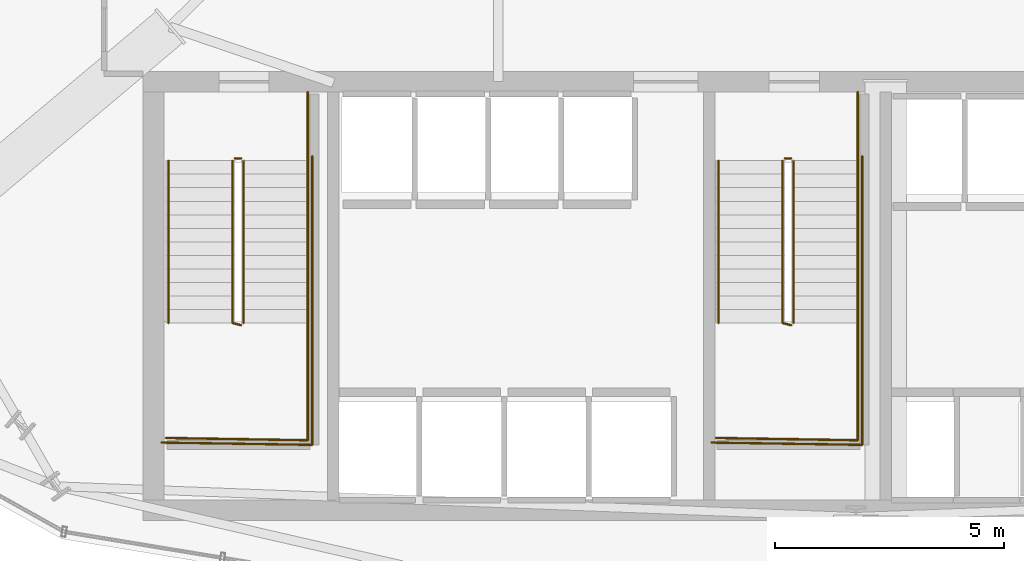
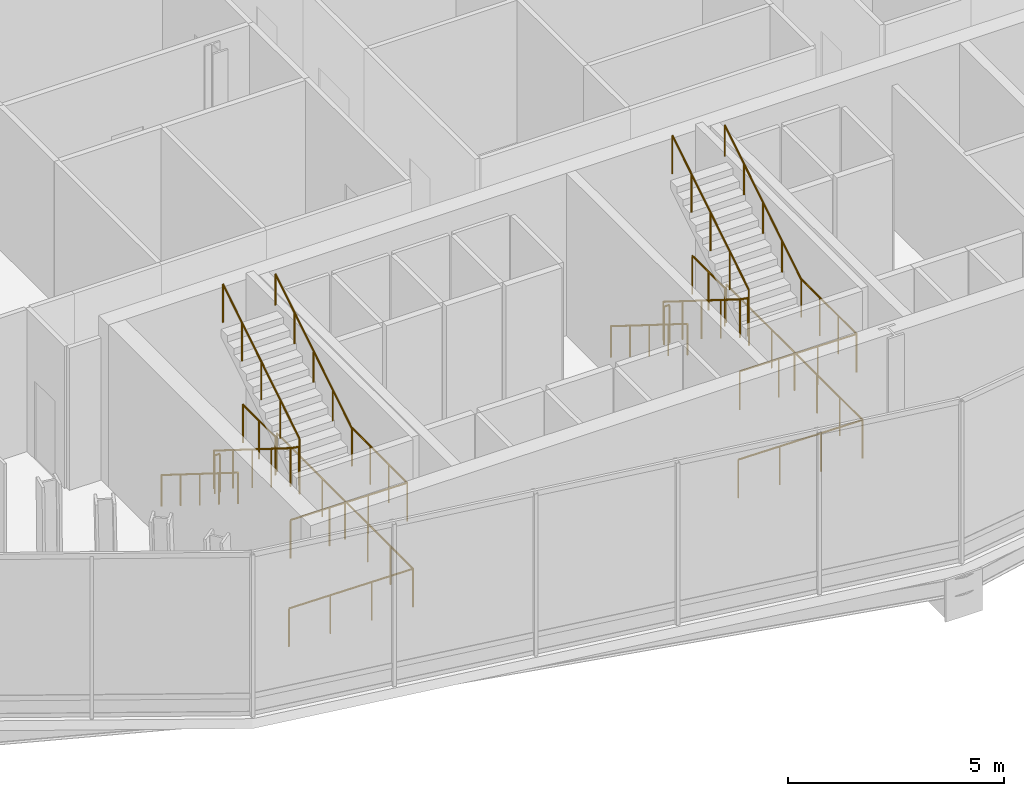
# One storey, part 24 of 26: 16 railings.
"""IFC4 building model written with IfcOpenShell, lengths in metres."""

from ifc_helpers import new_model, si_unit, direction, frame, origin, origin_2d, place, context, subcontext, project, spatial, circle, extrude, material, layer, layer_set, type_object, element, save


model = new_model("IFC4")

# Units and contexts
model_context = context("Model", 3, precision=1e-05, world=origin(), true_north=direction((0.0, 1.0)))
body_context = subcontext(model_context, "Body", "Model", "MODEL_VIEW")
ifc_project = project(units=[si_unit("LENGTHUNIT", "METRE"), si_unit("AREAUNIT", "SQUARE_METRE"), si_unit("VOLUMEUNIT", "CUBIC_METRE"), si_unit("PLANEANGLEUNIT", "RADIAN"), si_unit("MASSUNIT", "GRAM", prefix="KILO")], contexts=[model_context])

# Site, building, storey
site_placement = place(None, origin())
site = spatial("IfcSite", under=ifc_project, at=site_placement, CompositionType="ELEMENT")
building_placement = place(site_placement, origin())
building = spatial("IfcBuilding", under=site, at=building_placement, Name="Ndaravel Arena Tower", CompositionType="ELEMENT")
storey_placement = place(building_placement, frame((0.0, 0.0, 122.199951171875)))
storey = spatial("IfcBuildingStorey", under=building, at=storey_placement, Name="L28", CompositionType="ELEMENT", Elevation=122.199951171875)

# Railings
ifc_material_1 = material(Name="Steel S355", Category="steel")
ifc_layer_1 = layer(ifc_material_1, 0.06005859375)
ifc_layer_set_1 = layer_set([ifc_layer_1], Name="Steel S355")
railing_type_1 = type_object("IfcRailingType", Name="RAIL-STAIR-GD1100", PredefinedType="GUARDRAIL", material=ifc_layer_set_1)
railing_1_placement = place(storey_placement, frame((28.39990234375, 13.25, 0.1845703125)))
element("IfcRailing", 1, at=railing_1_placement, inside=storey, type_object=railing_type_1, Name="L28 ST-1 stair guard 1", PredefinedType="GUARDRAIL", context=body_context, shape_type="SweptSolid", body=[
    extrude(circle(Radius=0.02392578125, at=origin_2d()), frame((0.0, 0.0, 1.076171875), z_axis=(0.0, -0.847669714335, 0.530524321213), x_axis=(1.0, 0.0, 0.0)), (0.0, 0.0, 1.0), 4.17626953125),
    extrude(circle(Radius=0.02392578125, at=origin_2d()), frame((0.0, -3.5400390625, 3.29150390625), z_axis=(0.967074537263, -0.25449329928, 0.0), x_axis=(0.25449329928, 0.967074537263, 0.0)), (0.0, 0.0, 1.0), 0.19677734375),
    extrude(circle(Radius=0.02099609375, at=origin_2d()), origin(), (0.0, 0.0, 1.0), 1.052001953125),
    extrude(circle(Radius=0.02099609375, at=origin_2d()), frame((0.0, -0.885009765625, 0.553955078125)), (0.0, 0.0, 1.0), 1.052001953125),
    extrude(circle(Radius=0.02099609375, at=origin_2d()), frame((0.0, -1.77001953125, 1.10791015625)), (0.0, 0.0, 1.0), 1.052001953125),
    extrude(circle(Radius=0.02099609375, at=origin_2d()), frame((0.0, -2.655029296875, 1.66162109375)), (0.0, 0.0, 1.0), 1.052001953125),
    extrude(circle(Radius=0.02099609375, at=origin_2d()), frame((0.0, -3.5400390625, 2.215576171875)), (0.0, 0.0, 1.0), 1.052001953125),
    extrude(circle(Radius=0.02099609375, at=origin_2d()), frame((0.190185546875, -3.590087890625, 2.215576171875)), (0.0, 0.0, 1.0), 1.052001953125),
])
railing_2_placement = place(storey_placement, frame((30.0400390625, 9.7099609375, 2.400146484375)))
element("IfcRailing", 2, at=railing_2_placement, inside=storey, type_object=railing_type_1, Name="L28 ST-1 stair guard 2", PredefinedType="GUARDRAIL", context=body_context, shape_type="SweptSolid", body=[
    extrude(circle(Radius=0.02392578125, at=origin_2d()), frame((0.0, 0.0, 1.076171875), z_axis=(0.0, -1.0, 0.0), x_axis=(1.0, 0.0, 0.0)), (0.0, 0.0, 1.0), 2.56005859375),
    extrude(circle(Radius=0.02392578125, at=origin_2d()), frame((0.0, -2.56005859375, 1.076171875), z_axis=(-0.999868861343, 0.016194447071, 0.0), x_axis=(-0.016194447071, -0.999868861343, 0.0)), (0.0, 0.0, 1.0), 3.090576171875),
    extrude(circle(Radius=0.02099609375, at=origin_2d()), origin(), (0.0, 0.0, 1.0), 1.052001953125),
    extrude(circle(Radius=0.02099609375, at=origin_2d()), frame((0.0, -0.853271484375, 0.0)), (0.0, 0.0, 1.0), 1.052001953125),
    extrude(circle(Radius=0.02099609375, at=origin_2d()), frame((0.0, -1.706787109375, 0.0)), (0.0, 0.0, 1.0), 1.052001953125),
    extrude(circle(Radius=0.02099609375, at=origin_2d()), frame((0.0, -2.56005859375, 0.0)), (0.0, 0.0, 1.0), 1.052001953125),
    extrude(circle(Radius=0.02099609375, at=origin_2d()), frame((-1.030029296875, -2.54345703125, 0.0)), (0.0, 0.0, 1.0), 1.052001953125),
    extrude(circle(Radius=0.02099609375, at=origin_2d()), frame((-2.06005859375, -2.526611328125, 0.0)), (0.0, 0.0, 1.0), 1.052001953125),
    extrude(circle(Radius=0.02099609375, at=origin_2d()), frame((-3.090087890625, -2.510009765625, 0.0)), (0.0, 0.0, 1.0), 1.052001953125),
])
railing_3_placement = place(storey_placement, frame((28.639892578125, 9.7099609375, 2.584716796875)))
element("IfcRailing", 3, at=railing_3_placement, inside=storey, type_object=railing_type_1, Name="L28 ST-1 stair guard 3", PredefinedType="GUARDRAIL", context=body_context, shape_type="SweptSolid", body=[
    extrude(circle(Radius=0.02392578125, at=origin_2d()), frame((0.0, 0.0, 1.076171875), z_axis=(0.0, 0.847696004112, 0.530482313194), x_axis=(-1.0, 0.0, 0.0)), (0.0, 0.0, 1.0), 4.176025390625),
    extrude(circle(Radius=0.02099609375, at=origin_2d()), origin(), (0.0, 0.0, 1.0), 1.052001953125),
    extrude(circle(Radius=0.02099609375, at=origin_2d()), frame((0.0, 0.885009765625, 0.5537109375)), (0.0, 0.0, 1.0), 1.052001953125),
    extrude(circle(Radius=0.02099609375, at=origin_2d()), frame((0.0, 1.77001953125, 1.107666015625)), (0.0, 0.0, 1.0), 1.052001953125),
    extrude(circle(Radius=0.02099609375, at=origin_2d()), frame((0.0, 2.655029296875, 1.66162109375)), (0.0, 0.0, 1.0), 1.052001953125),
    extrude(circle(Radius=0.02099609375, at=origin_2d()), frame((0.0, 3.5400390625, 2.21533203125)), (0.0, 0.0, 1.0), 1.052001953125),
])
railing_4_placement = place(storey_placement, frame((28.449951171875, 13.300048828125, 0.0)))
element("IfcRailing", 4, at=railing_4_placement, inside=storey, type_object=railing_type_1, Name="L28 ST-1 stair guard 4", PredefinedType="GUARDRAIL", context=body_context, shape_type="SweptSolid", body=[
    extrude(circle(Radius=0.02392578125, at=origin_2d()), frame((0.0, 0.0, 1.076171875), z_axis=(1.0, 0.0, 0.0), x_axis=(0.0, 1.0, 0.0)), (0.0, 0.0, 1.0), 0.14013671875),
    extrude(circle(Radius=0.02099609375, at=origin_2d()), origin(), (0.0, 0.0, 1.0), 1.052001953125),
    extrude(circle(Radius=0.02099609375, at=origin_2d()), frame((0.14013671875, 0.0, 0.0)), (0.0, 0.0, 1.0), 1.052001953125),
])
railing_5_placement = place(storey_placement, frame((30.0400390625, 14.75, 0.0)))
element("IfcRailing", 5, at=railing_5_placement, inside=storey, type_object=railing_type_1, Name="L28 ST-1 stair guard 5", PredefinedType="GUARDRAIL", context=body_context, shape_type="SweptSolid", body=[
    extrude(circle(Radius=0.02392578125, at=origin_2d()), frame((0.0, 0.0, 1.076171875), z_axis=(0.0, -1.0, 0.0), x_axis=(1.0, 0.0, 0.0)), (0.0, 0.0, 1.0), 1.5),
    extrude(circle(Radius=0.02099609375, at=origin_2d()), origin(), (0.0, 0.0, 1.0), 1.052001953125),
    extrude(circle(Radius=0.02099609375, at=origin_2d()), frame((0.0, -0.75, 0.0)), (0.0, 0.0, 1.0), 1.052001953125),
    extrude(circle(Radius=0.02099609375, at=origin_2d()), frame((0.0, -1.5, 0.0)), (0.0, 0.0, 1.0), 1.052001953125),
])
railing_6_placement = place(storey_placement, frame((30.139892578125, 13.35009765625, 0.0)))
element("IfcRailing", 6, at=railing_6_placement, inside=storey, type_object=railing_type_1, Name="L28 ST-1 stair guard 6", PredefinedType="GUARDRAIL", context=body_context, shape_type="SweptSolid", body=[
    extrude(circle(Radius=0.02392578125, at=origin_2d()), frame((0.0, 0.0, 1.076171875), z_axis=(0.0, -1.0, 0.0), x_axis=(1.0, 0.0, 0.0)), (0.0, 0.0, 1.0), 6.300048828125),
    extrude(circle(Radius=0.02392578125, at=origin_2d()), frame((0.0, -6.300048828125, 1.076171875), z_axis=(-0.999884296952, 0.015211597839, 0.0), x_axis=(-0.015211597839, -0.999884296952, 0.0)), (0.0, 0.0, 1.0), 3.290283203125),
    extrude(circle(Radius=0.02099609375, at=origin_2d()), origin(), (0.0, 0.0, 1.0), 1.052001953125),
    extrude(circle(Radius=0.02099609375, at=origin_2d()), frame((0.0, -1.050048828125, 0.0)), (0.0, 0.0, 1.0), 1.052001953125),
    extrude(circle(Radius=0.02099609375, at=origin_2d()), frame((0.0, -2.10009765625, 0.0)), (0.0, 0.0, 1.0), 1.052001953125),
    extrude(circle(Radius=0.02099609375, at=origin_2d()), frame((0.0, -3.14990234375, 0.0)), (0.0, 0.0, 1.0), 1.052001953125),
    extrude(circle(Radius=0.02099609375, at=origin_2d()), frame((0.0, -4.199951171875, 0.0)), (0.0, 0.0, 1.0), 1.052001953125),
    extrude(circle(Radius=0.02099609375, at=origin_2d()), frame((0.0, -5.25, 0.0)), (0.0, 0.0, 1.0), 1.052001953125),
    extrude(circle(Radius=0.02099609375, at=origin_2d()), frame((0.0, -6.300048828125, 0.0)), (0.0, 0.0, 1.0), 1.052001953125),
    extrude(circle(Radius=0.02099609375, at=origin_2d()), frame((-1.0966796875, -6.283447265625, 0.0)), (0.0, 0.0, 1.0), 1.052001953125),
    extrude(circle(Radius=0.02099609375, at=origin_2d()), frame((-2.193115234375, -6.2666015625, 0.0)), (0.0, 0.0, 1.0), 1.052001953125),
    extrude(circle(Radius=0.02099609375, at=origin_2d()), frame((-3.289794921875, -6.25, 0.0)), (0.0, 0.0, 1.0), 1.052001953125),
])
railing_7_placement = place(storey_placement, frame((40.39990234375, 13.25, 0.1845703125)))
element("IfcRailing", 7, at=railing_7_placement, inside=storey, type_object=railing_type_1, Name="L28 ST-2 stair guard 1", PredefinedType="GUARDRAIL", context=body_context, shape_type="SweptSolid", body=[
    extrude(circle(Radius=0.02392578125, at=origin_2d()), frame((0.0, 0.0, 1.076171875), z_axis=(0.0, -0.847669714335, 0.530524321213), x_axis=(1.0, 0.0, 0.0)), (0.0, 0.0, 1.0), 4.17626953125),
    extrude(circle(Radius=0.02392578125, at=origin_2d()), frame((0.0, -3.5400390625, 3.29150390625), z_axis=(0.967074537263, -0.25449329928, 0.0), x_axis=(0.25449329928, 0.967074537263, 0.0)), (0.0, 0.0, 1.0), 0.19677734375),
    extrude(circle(Radius=0.02099609375, at=origin_2d()), origin(), (0.0, 0.0, 1.0), 1.052001953125),
    extrude(circle(Radius=0.02099609375, at=origin_2d()), frame((0.0, -0.885009765625, 0.553955078125)), (0.0, 0.0, 1.0), 1.052001953125),
    extrude(circle(Radius=0.02099609375, at=origin_2d()), frame((0.0, -1.77001953125, 1.10791015625)), (0.0, 0.0, 1.0), 1.052001953125),
    extrude(circle(Radius=0.02099609375, at=origin_2d()), frame((0.0, -2.655029296875, 1.66162109375)), (0.0, 0.0, 1.0), 1.052001953125),
    extrude(circle(Radius=0.02099609375, at=origin_2d()), frame((0.0, -3.5400390625, 2.215576171875)), (0.0, 0.0, 1.0), 1.052001953125),
    extrude(circle(Radius=0.02099609375, at=origin_2d()), frame((0.190185546875, -3.590087890625, 2.215576171875)), (0.0, 0.0, 1.0), 1.052001953125),
])
railing_8_placement = place(storey_placement, frame((42.0400390625, 9.7099609375, 2.400146484375)))
element("IfcRailing", 8, at=railing_8_placement, inside=storey, type_object=railing_type_1, Name="L28 ST-2 stair guard 2", PredefinedType="GUARDRAIL", context=body_context, shape_type="SweptSolid", body=[
    extrude(circle(Radius=0.02392578125, at=origin_2d()), frame((0.0, 0.0, 1.076171875), z_axis=(0.0, -1.0, 0.0), x_axis=(1.0, 0.0, 0.0)), (0.0, 0.0, 1.0), 2.56005859375),
    extrude(circle(Radius=0.02392578125, at=origin_2d()), frame((0.0, -2.56005859375, 1.076171875), z_axis=(-0.999868861343, 0.016194447071, 0.0), x_axis=(-0.016194447071, -0.999868861343, 0.0)), (0.0, 0.0, 1.0), 3.090576171875),
    extrude(circle(Radius=0.02099609375, at=origin_2d()), origin(), (0.0, 0.0, 1.0), 1.052001953125),
    extrude(circle(Radius=0.02099609375, at=origin_2d()), frame((0.0, -0.853271484375, 0.0)), (0.0, 0.0, 1.0), 1.052001953125),
    extrude(circle(Radius=0.02099609375, at=origin_2d()), frame((0.0, -1.706787109375, 0.0)), (0.0, 0.0, 1.0), 1.052001953125),
    extrude(circle(Radius=0.02099609375, at=origin_2d()), frame((0.0, -2.56005859375, 0.0)), (0.0, 0.0, 1.0), 1.052001953125),
    extrude(circle(Radius=0.02099609375, at=origin_2d()), frame((-1.030029296875, -2.54345703125, 0.0)), (0.0, 0.0, 1.0), 1.052001953125),
    extrude(circle(Radius=0.02099609375, at=origin_2d()), frame((-2.06005859375, -2.526611328125, 0.0)), (0.0, 0.0, 1.0), 1.052001953125),
    extrude(circle(Radius=0.02099609375, at=origin_2d()), frame((-3.090087890625, -2.510009765625, 0.0)), (0.0, 0.0, 1.0), 1.052001953125),
])
railing_9_placement = place(storey_placement, frame((40.639892578125, 9.7099609375, 2.584716796875)))
element("IfcRailing", 9, at=railing_9_placement, inside=storey, type_object=railing_type_1, Name="L28 ST-2 stair guard 3", PredefinedType="GUARDRAIL", context=body_context, shape_type="SweptSolid", body=[
    extrude(circle(Radius=0.02392578125, at=origin_2d()), frame((0.0, 0.0, 1.076171875), z_axis=(0.0, 0.847696004112, 0.530482313194), x_axis=(-1.0, 0.0, 0.0)), (0.0, 0.0, 1.0), 4.176025390625),
    extrude(circle(Radius=0.02099609375, at=origin_2d()), origin(), (0.0, 0.0, 1.0), 1.052001953125),
    extrude(circle(Radius=0.02099609375, at=origin_2d()), frame((0.0, 0.885009765625, 0.5537109375)), (0.0, 0.0, 1.0), 1.052001953125),
    extrude(circle(Radius=0.02099609375, at=origin_2d()), frame((0.0, 1.77001953125, 1.107666015625)), (0.0, 0.0, 1.0), 1.052001953125),
    extrude(circle(Radius=0.02099609375, at=origin_2d()), frame((0.0, 2.655029296875, 1.66162109375)), (0.0, 0.0, 1.0), 1.052001953125),
    extrude(circle(Radius=0.02099609375, at=origin_2d()), frame((0.0, 3.5400390625, 2.21533203125)), (0.0, 0.0, 1.0), 1.052001953125),
])
railing_10_placement = place(storey_placement, frame((40.449951171875, 13.300048828125, 0.0)))
element("IfcRailing", 10, at=railing_10_placement, inside=storey, type_object=railing_type_1, Name="L28 ST-2 stair guard 4", PredefinedType="GUARDRAIL", context=body_context, shape_type="SweptSolid", body=[
    extrude(circle(Radius=0.02392578125, at=origin_2d()), frame((0.0, 0.0, 1.076171875), z_axis=(1.0, 0.0, 0.0), x_axis=(0.0, 1.0, 0.0)), (0.0, 0.0, 1.0), 0.14013671875),
    extrude(circle(Radius=0.02099609375, at=origin_2d()), origin(), (0.0, 0.0, 1.0), 1.052001953125),
    extrude(circle(Radius=0.02099609375, at=origin_2d()), frame((0.14013671875, 0.0, 0.0)), (0.0, 0.0, 1.0), 1.052001953125),
])
railing_11_placement = place(storey_placement, frame((42.0400390625, 14.75, 0.0)))
element("IfcRailing", 11, at=railing_11_placement, inside=storey, type_object=railing_type_1, Name="L28 ST-2 stair guard 5", PredefinedType="GUARDRAIL", context=body_context, shape_type="SweptSolid", body=[
    extrude(circle(Radius=0.02392578125, at=origin_2d()), frame((0.0, 0.0, 1.076171875), z_axis=(0.0, -1.0, 0.0), x_axis=(1.0, 0.0, 0.0)), (0.0, 0.0, 1.0), 1.5),
    extrude(circle(Radius=0.02099609375, at=origin_2d()), origin(), (0.0, 0.0, 1.0), 1.052001953125),
    extrude(circle(Radius=0.02099609375, at=origin_2d()), frame((0.0, -0.75, 0.0)), (0.0, 0.0, 1.0), 1.052001953125),
    extrude(circle(Radius=0.02099609375, at=origin_2d()), frame((0.0, -1.5, 0.0)), (0.0, 0.0, 1.0), 1.052001953125),
])
railing_12_placement = place(storey_placement, frame((42.139892578125, 13.35009765625, 0.0)))
element("IfcRailing", 12, at=railing_12_placement, inside=storey, type_object=railing_type_1, Name="L28 ST-2 stair guard 6", PredefinedType="GUARDRAIL", context=body_context, shape_type="SweptSolid", body=[
    extrude(circle(Radius=0.02392578125, at=origin_2d()), frame((0.0, 0.0, 1.076171875), z_axis=(0.0, -1.0, 0.0), x_axis=(1.0, 0.0, 0.0)), (0.0, 0.0, 1.0), 6.300048828125),
    extrude(circle(Radius=0.02392578125, at=origin_2d()), frame((0.0, -6.300048828125, 1.076171875), z_axis=(-0.999884296952, 0.015211597839, 0.0), x_axis=(-0.015211597839, -0.999884296952, 0.0)), (0.0, 0.0, 1.0), 3.290283203125),
    extrude(circle(Radius=0.02099609375, at=origin_2d()), origin(), (0.0, 0.0, 1.0), 1.052001953125),
    extrude(circle(Radius=0.02099609375, at=origin_2d()), frame((0.0, -1.050048828125, 0.0)), (0.0, 0.0, 1.0), 1.052001953125),
    extrude(circle(Radius=0.02099609375, at=origin_2d()), frame((0.0, -2.10009765625, 0.0)), (0.0, 0.0, 1.0), 1.052001953125),
    extrude(circle(Radius=0.02099609375, at=origin_2d()), frame((0.0, -3.14990234375, 0.0)), (0.0, 0.0, 1.0), 1.052001953125),
    extrude(circle(Radius=0.02099609375, at=origin_2d()), frame((0.0, -4.199951171875, 0.0)), (0.0, 0.0, 1.0), 1.052001953125),
    extrude(circle(Radius=0.02099609375, at=origin_2d()), frame((0.0, -5.25, 0.0)), (0.0, 0.0, 1.0), 1.052001953125),
    extrude(circle(Radius=0.02099609375, at=origin_2d()), frame((0.0, -6.300048828125, 0.0)), (0.0, 0.0, 1.0), 1.052001953125),
    extrude(circle(Radius=0.02099609375, at=origin_2d()), frame((-1.0966796875, -6.283447265625, 0.0)), (0.0, 0.0, 1.0), 1.052001953125),
    extrude(circle(Radius=0.02099609375, at=origin_2d()), frame((-2.193115234375, -6.2666015625, 0.0)), (0.0, 0.0, 1.0), 1.052001953125),
    extrude(circle(Radius=0.02099609375, at=origin_2d()), frame((-3.289794921875, -6.25, 0.0)), (0.0, 0.0, 1.0), 1.052001953125),
])
ifc_material_2 = material(Name="Steel S355", Category="steel")
ifc_layer_2 = layer(ifc_material_2, 0.050048828125)
ifc_layer_set_2 = layer_set([ifc_layer_2], Name="Steel S355")
railing_type_2 = type_object("IfcRailingType", Name="RAIL-STAIR-HR920", PredefinedType="HANDRAIL", material=ifc_layer_set_2)
railing_13_placement = place(storey_placement, frame((27.0, 13.25, 0.1845703125)))
element("IfcRailing", 13, at=railing_13_placement, inside=storey, type_object=railing_type_2, Name="L28 ST-1 stair handrail 1", PredefinedType="HANDRAIL", context=body_context, shape_type="SweptSolid", body=[
    extrude(circle(Radius=0.02392578125, at=origin_2d()), frame((0.0, 0.0, 0.8759765625), z_axis=(0.0, -0.847669714335, 0.530524321213), x_axis=(1.0, 0.0, 0.0)), (0.0, 0.0, 1.0), 4.17626953125),
    extrude(circle(Radius=0.02099609375, at=origin_2d()), origin(), (0.0, 0.0, 1.0), 0.851806640625),
    extrude(circle(Radius=0.02099609375, at=origin_2d()), frame((0.0, -0.885009765625, 0.553955078125)), (0.0, 0.0, 1.0), 0.851806640625),
    extrude(circle(Radius=0.02099609375, at=origin_2d()), frame((0.0, -1.77001953125, 1.10791015625)), (0.0, 0.0, 1.0), 0.851806640625),
    extrude(circle(Radius=0.02099609375, at=origin_2d()), frame((0.0, -2.655029296875, 1.66162109375)), (0.0, 0.0, 1.0), 0.851806640625),
    extrude(circle(Radius=0.02099609375, at=origin_2d()), frame((0.0, -3.5400390625, 2.215576171875)), (0.0, 0.0, 1.0), 0.851806640625),
])
railing_14_placement = place(storey_placement, frame((30.0400390625, 9.7099609375, 2.584716796875)))
element("IfcRailing", 14, at=railing_14_placement, inside=storey, type_object=railing_type_2, Name="L28 ST-1 stair handrail 2", PredefinedType="HANDRAIL", context=body_context, shape_type="SweptSolid", body=[
    extrude(circle(Radius=0.02392578125, at=origin_2d()), frame((0.0, 0.0, 0.8759765625), z_axis=(0.0, 0.847696004112, 0.530482313194), x_axis=(-1.0, 0.0, 0.0)), (0.0, 0.0, 1.0), 4.176025390625),
    extrude(circle(Radius=0.02099609375, at=origin_2d()), origin(), (0.0, 0.0, 1.0), 0.851806640625),
    extrude(circle(Radius=0.02099609375, at=origin_2d()), frame((0.0, 0.885009765625, 0.5537109375)), (0.0, 0.0, 1.0), 0.851806640625),
    extrude(circle(Radius=0.02099609375, at=origin_2d()), frame((0.0, 1.77001953125, 1.107666015625)), (0.0, 0.0, 1.0), 0.851806640625),
    extrude(circle(Radius=0.02099609375, at=origin_2d()), frame((0.0, 2.655029296875, 1.66162109375)), (0.0, 0.0, 1.0), 0.851806640625),
    extrude(circle(Radius=0.02099609375, at=origin_2d()), frame((0.0, 3.5400390625, 2.21533203125)), (0.0, 0.0, 1.0), 0.851806640625),
])
railing_15_placement = place(storey_placement, frame((39.0, 13.25, 0.1845703125)))
element("IfcRailing", 15, at=railing_15_placement, inside=storey, type_object=railing_type_2, Name="L28 ST-2 stair handrail 1", PredefinedType="HANDRAIL", context=body_context, shape_type="SweptSolid", body=[
    extrude(circle(Radius=0.02392578125, at=origin_2d()), frame((0.0, 0.0, 0.8759765625), z_axis=(0.0, -0.847669714335, 0.530524321213), x_axis=(1.0, 0.0, 0.0)), (0.0, 0.0, 1.0), 4.17626953125),
    extrude(circle(Radius=0.02099609375, at=origin_2d()), origin(), (0.0, 0.0, 1.0), 0.851806640625),
    extrude(circle(Radius=0.02099609375, at=origin_2d()), frame((0.0, -0.885009765625, 0.553955078125)), (0.0, 0.0, 1.0), 0.851806640625),
    extrude(circle(Radius=0.02099609375, at=origin_2d()), frame((0.0, -1.77001953125, 1.10791015625)), (0.0, 0.0, 1.0), 0.851806640625),
    extrude(circle(Radius=0.02099609375, at=origin_2d()), frame((0.0, -2.655029296875, 1.66162109375)), (0.0, 0.0, 1.0), 0.851806640625),
    extrude(circle(Radius=0.02099609375, at=origin_2d()), frame((0.0, -3.5400390625, 2.215576171875)), (0.0, 0.0, 1.0), 0.851806640625),
])
railing_16_placement = place(storey_placement, frame((42.0400390625, 9.7099609375, 2.584716796875)))
element("IfcRailing", 16, at=railing_16_placement, inside=storey, type_object=railing_type_2, Name="L28 ST-2 stair handrail 2", PredefinedType="HANDRAIL", context=body_context, shape_type="SweptSolid", body=[
    extrude(circle(Radius=0.02392578125, at=origin_2d()), frame((0.0, 0.0, 0.8759765625), z_axis=(0.0, 0.847696004112, 0.530482313194), x_axis=(-1.0, 0.0, 0.0)), (0.0, 0.0, 1.0), 4.176025390625),
    extrude(circle(Radius=0.02099609375, at=origin_2d()), origin(), (0.0, 0.0, 1.0), 0.851806640625),
    extrude(circle(Radius=0.02099609375, at=origin_2d()), frame((0.0, 0.885009765625, 0.5537109375)), (0.0, 0.0, 1.0), 0.851806640625),
    extrude(circle(Radius=0.02099609375, at=origin_2d()), frame((0.0, 1.77001953125, 1.107666015625)), (0.0, 0.0, 1.0), 0.851806640625),
    extrude(circle(Radius=0.02099609375, at=origin_2d()), frame((0.0, 2.655029296875, 1.66162109375)), (0.0, 0.0, 1.0), 0.851806640625),
    extrude(circle(Radius=0.02099609375, at=origin_2d()), frame((0.0, 3.5400390625, 2.21533203125)), (0.0, 0.0, 1.0), 0.851806640625),
])

save(model, "model.ifc")
